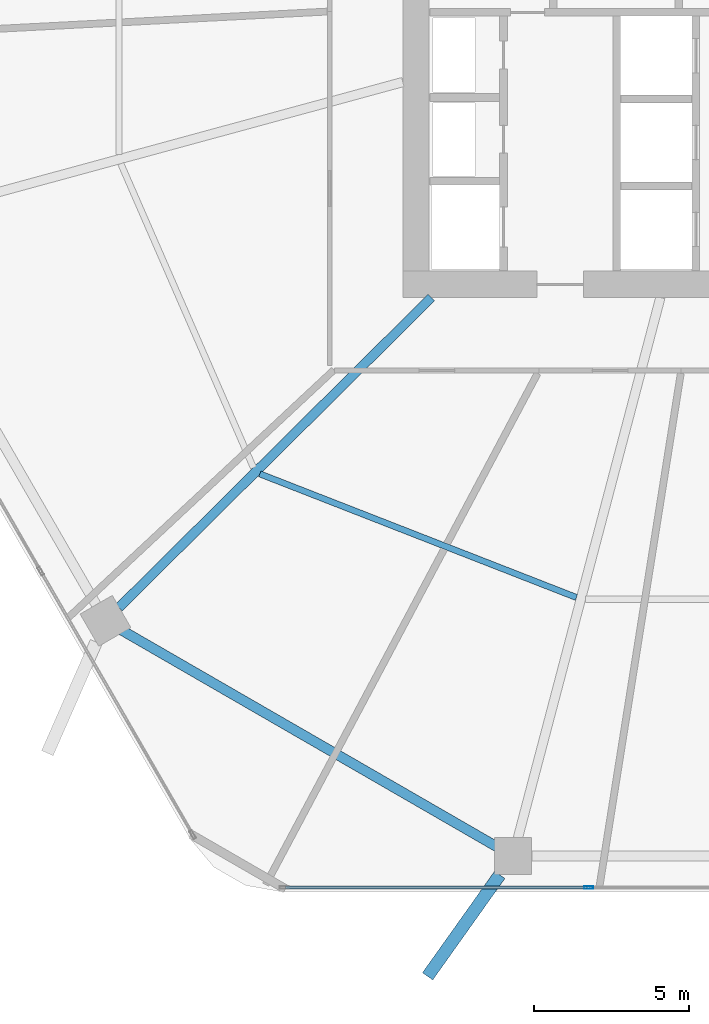
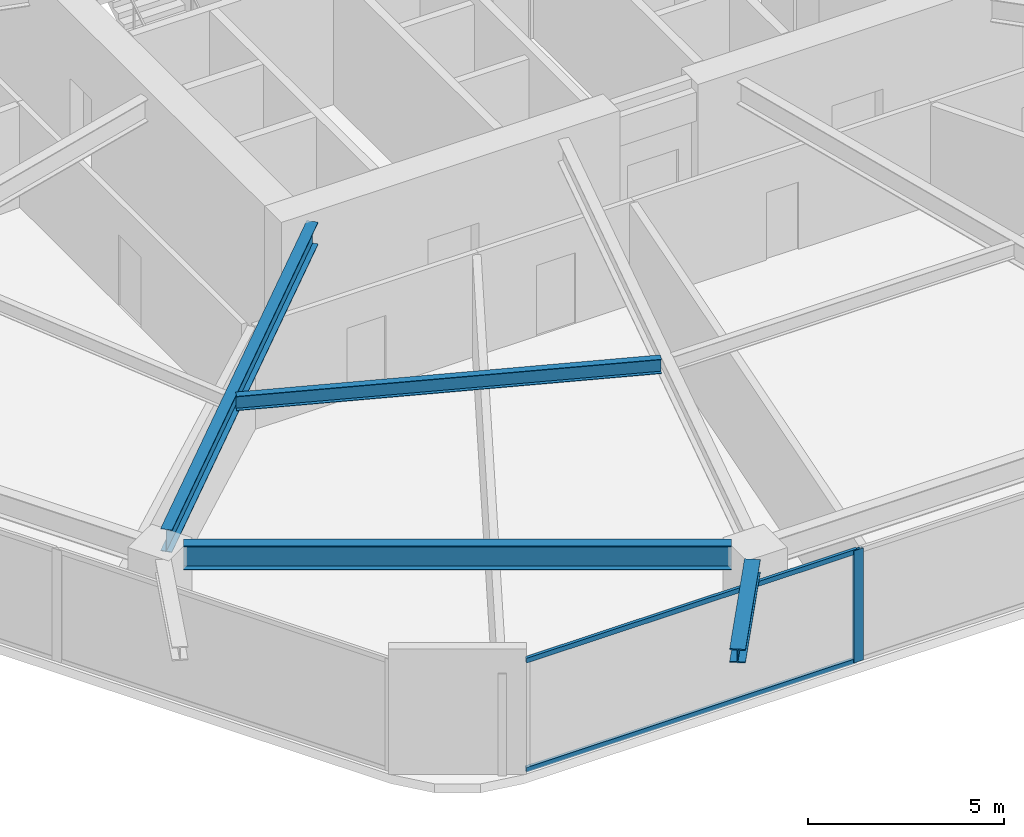
# One storey, part 3 of 25: 4 beams, 3 members, 1 element without a shape of its own.
"""IFC4 building model written with IfcOpenShell, lengths in metres."""

from ifc_helpers import new_model, si_unit, direction, frame, origin, origin_2d, place, context, subcontext, project, spatial, hollow_rectangle, i_section, extrude, material, material_profile, profile_set, type_object, element, aggregate, save


model = new_model("IFC4")

# Units and contexts
model_context = context("Model", 3, precision=1e-05, world=origin(), true_north=direction((0.0, 1.0)))
body_context = subcontext(model_context, "Body", "Model", "MODEL_VIEW")
ifc_project = project(units=[si_unit("LENGTHUNIT", "METRE"), si_unit("AREAUNIT", "SQUARE_METRE"), si_unit("VOLUMEUNIT", "CUBIC_METRE"), si_unit("PLANEANGLEUNIT", "RADIAN"), si_unit("MASSUNIT", "GRAM", prefix="KILO")], contexts=[model_context])

# Site, building, storey
site_placement = place(None, origin())
site = spatial("IfcSite", under=ifc_project, at=site_placement, CompositionType="ELEMENT")
building_placement = place(site_placement, origin())
building = spatial("IfcBuilding", under=site, at=building_placement, Name="Zuhravey Tower", CompositionType="ELEMENT")
storey_placement = place(building_placement, frame((0.0, 0.0, 37.199951171875)))
storey = spatial("IfcBuildingStorey", under=building, at=storey_placement, Name="L09", CompositionType="ELEMENT", Elevation=37.199951171875)

# Curtain wall, members
ifc_material_1 = material(Name="Thermally broken anodised aluminium", Category="aluminium")
curtain_wall_type = type_object("IfcCurtainWallType", Name="School Low-E Unitised Curtain Wall CW1", PredefinedType="NOTDEFINED", material=ifc_material_1)
curtain_wall_placement = place(storey_placement, origin())
curtain_wall = element("IfcCurtainWall", 1, at=curtain_wall_placement, inside=storey, type_object=curtain_wall_type, Name="L09 CW1 CW-L09-F5-1", PredefinedType="NOTDEFINED")
ifc_material_2 = material(Name="Anodised aluminium", Category="aluminium")
ifc_material_profile_1 = material_profile(ifc_material_2, hollow_rectangle(XDim=0.090087890625, YDim=0.284912109375, WallThickness=0.0048828125, at=origin_2d()), Name="ALU-RHS-90x285x5")
ifc_profile_set_1 = profile_set([ifc_material_profile_1], Name="Anodised aluminium")
member_type_1 = type_object("IfcMemberType", Name="Curtain-Wall Mullion 90x180", PredefinedType="MULLION", material=ifc_profile_set_1)
member_1_placement = place(storey_placement, frame((31.06689453125, 3.04150390625, 0.0), z_axis=(0.0, 0.0, 1.0), x_axis=(0.0, -1.0, 0.0)))
member_1 = element("IfcMember", 2, at=member_1_placement, type_object=member_type_1, Name="CW1 mullion 3", PredefinedType="MULLION", context=body_context, shape_type="SweptSolid", body=[
    extrude(hollow_rectangle(XDim=0.090087890625, YDim=0.284912109375, WallThickness=0.0048828125, at=origin_2d()), origin(), (0.0, 0.0, 1.0), 3.491943359375),
])
ifc_material_profile_2 = material_profile(ifc_material_2, hollow_rectangle(XDim=0.090087890625, YDim=0.14990234375, WallThickness=0.0048828125, at=origin_2d()), Name="ALU-RHS-90x150x5")
ifc_profile_set_2 = profile_set([ifc_material_profile_2], Name="Anodised aluminium")
member_type_2 = type_object("IfcMemberType", Name="Curtain-Wall Transom 90x150", PredefinedType="USERDEFINED", material=ifc_profile_set_2)
member_2_placement = place(storey_placement, frame((31.021728515625, 3.04150390625, 0.045166015625), z_axis=(-1.0, 0.0, 0.0), x_axis=(0.0, -1.0, 0.0)))
member_2 = element("IfcMember", 3, at=member_2_placement, type_object=member_type_2, Name="CW1 transom 3.1", ObjectType="TRANSOM", PredefinedType="USERDEFINED", context=body_context, shape_type="SweptSolid", body=[
    extrude(hollow_rectangle(XDim=0.090087890625, YDim=0.14990234375, WallThickness=0.0048828125, at=origin_2d()), origin(), (0.0, 0.0, 1.0), 9.731201171875),
])
member_3_placement = place(storey_placement, frame((31.021728515625, 3.04150390625, 3.447021484375), z_axis=(-1.0, 0.0, 0.0), x_axis=(0.0, -1.0, 0.0)))
member_3 = element("IfcMember", 4, at=member_3_placement, type_object=member_type_2, Name="CW1 transom 3.2", ObjectType="TRANSOM", PredefinedType="USERDEFINED", context=body_context, shape_type="SweptSolid", body=[
    extrude(hollow_rectangle(XDim=0.090087890625, YDim=0.14990234375, WallThickness=0.0048828125, at=origin_2d()), origin(), (0.0, 0.0, 1.0), 9.731201171875),
])
aggregate(curtain_wall, [member_1, member_2, member_3])

# Beams
ifc_material_3 = material(Name="Steel SM460", Category="steel")
ifc_material_profile_3 = material_profile(ifc_material_3, i_section(OverallWidth=0.406982421875, OverallDepth=0.427978515625, WebThickness=0.02001953125, FlangeThickness=0.034912109375, at=origin_2d()), Name="H-428x407x20x35")
ifc_profile_set_3 = profile_set([ifc_material_profile_3], Name="Steel SM460")
beam_type_1 = type_object("IfcBeamType", Name="Exoskeleton Node Tie Beam H428x407", PredefinedType="BEAM", material=ifc_profile_set_3)
beam_1_placement = place(storey_placement, frame((28.200927734375, 3.4482421875, 3.7060546875), z_axis=(-0.579627800936, -0.814881348653, 0.0), x_axis=(0.814881348653, -0.579627800936, 0.0)))
element("IfcBeam", 5, at=beam_1_placement, inside=storey, type_object=beam_type_1, Name="L09 Exoskeleton Node Tie NT1-09", PredefinedType="BEAM", context=body_context, shape_type="SweptSolid", body=[
    extrude(i_section(OverallWidth=0.406982421875, OverallDepth=0.427978515625, WebThickness=0.02001953125, FlangeThickness=0.034912109375, at=origin_2d()), origin(), (0.0, 0.0, 1.0), 4.018310546875),
])
ifc_material_4 = material(Name="Steel SM355", Category="steel")
ifc_material_profile_4 = material_profile(ifc_material_4, i_section(OverallWidth=0.320068359375, OverallDepth=0.75, WebThickness=0.013916015625, FlangeThickness=0.02490234375, at=origin_2d()), Name="H-750x320x14x25")
ifc_profile_set_4 = profile_set([ifc_material_profile_4], Name="Steel SM355")
beam_type_2 = type_object("IfcBeamType", Name="Perimeter Ring Beam H750x320", PredefinedType="BEAM", material=ifc_profile_set_4)
beam_2_placement = place(storey_placement, frame((16.003173828125, 11.341552734375, 3.545166015625), z_axis=(0.866029969761, -0.499992091414, 0.0), x_axis=(0.499992091414, 0.866029969761, 0.0)))
element("IfcBeam", 6, at=beam_2_placement, inside=storey, type_object=beam_type_2, Name="L09 PB1 BM-L09-PB-08", PredefinedType="BEAM", context=body_context, shape_type="SweptSolid", body=[
    extrude(i_section(OverallWidth=0.320068359375, OverallDepth=0.75, WebThickness=0.013916015625, FlangeThickness=0.02490234375, at=origin_2d()), origin(), (0.0, 0.0, 1.0), 13.977294921875),
])
ifc_material_profile_5 = material_profile(ifc_material_4, i_section(OverallWidth=0.300048828125, OverallDepth=0.699951171875, WebThickness=0.012939453125, FlangeThickness=0.02392578125, at=origin_2d()), Name="H-700x300x13x24")
ifc_profile_set_5 = profile_set([ifc_material_profile_5], Name="Steel SM355")
beam_type_3 = type_object("IfcBeamType", Name="Radial Primary Girder H700x300", PredefinedType="BEAM", material=ifc_profile_set_5)
beam_3_placement = place(storey_placement, frame((25.992919921875, 22.072021484375, 3.570068359375), z_axis=(-0.709902823282, -0.704299639, 0.0), x_axis=(0.704299639, -0.709902823282, 0.0)))
element("IfcBeam", 7, at=beam_3_placement, inside=storey, type_object=beam_type_3, Name="L09 RG1 BM-L09-RAD-08", PredefinedType="BEAM", context=body_context, shape_type="SweptSolid", body=[
    extrude(i_section(OverallWidth=0.300048828125, OverallDepth=0.699951171875, WebThickness=0.012939453125, FlangeThickness=0.02392578125, at=origin_2d()), origin(), (0.0, 0.0, 1.0), 14.204345703125),
])
ifc_material_profile_6 = material_profile(ifc_material_4, i_section(OverallWidth=0.199951171875, OverallDepth=0.449951171875, WebThickness=0.009033203125, FlangeThickness=0.013916015625, at=origin_2d()), Name="H-450x200x9x14")
ifc_profile_set_6 = profile_set([ifc_material_profile_6], Name="Steel SM355")
beam_type_4 = type_object("IfcBeamType", Name="Secondary Floor Joist H450x200", PredefinedType="JOIST", material=ifc_profile_set_6)
beam_4_placement = place(storey_placement, frame((20.4599609375, 16.38427734375, 3.695068359375), z_axis=(0.931516535886, -0.363698973562, 0.0), x_axis=(0.363698973562, 0.931516535886, 0.0)))
element("IfcBeam", 8, at=beam_4_placement, inside=storey, type_object=beam_type_4, Name="L09 SJ1 BM-L09-SJ-08-1", PredefinedType="JOIST", context=body_context, shape_type="SweptSolid", body=[
    extrude(i_section(OverallWidth=0.199951171875, OverallDepth=0.449951171875, WebThickness=0.009033203125, FlangeThickness=0.013916015625, at=origin_2d()), origin(), (0.0, 0.0, 1.0), 10.963134765625),
])

save(model, "model.ifc")
